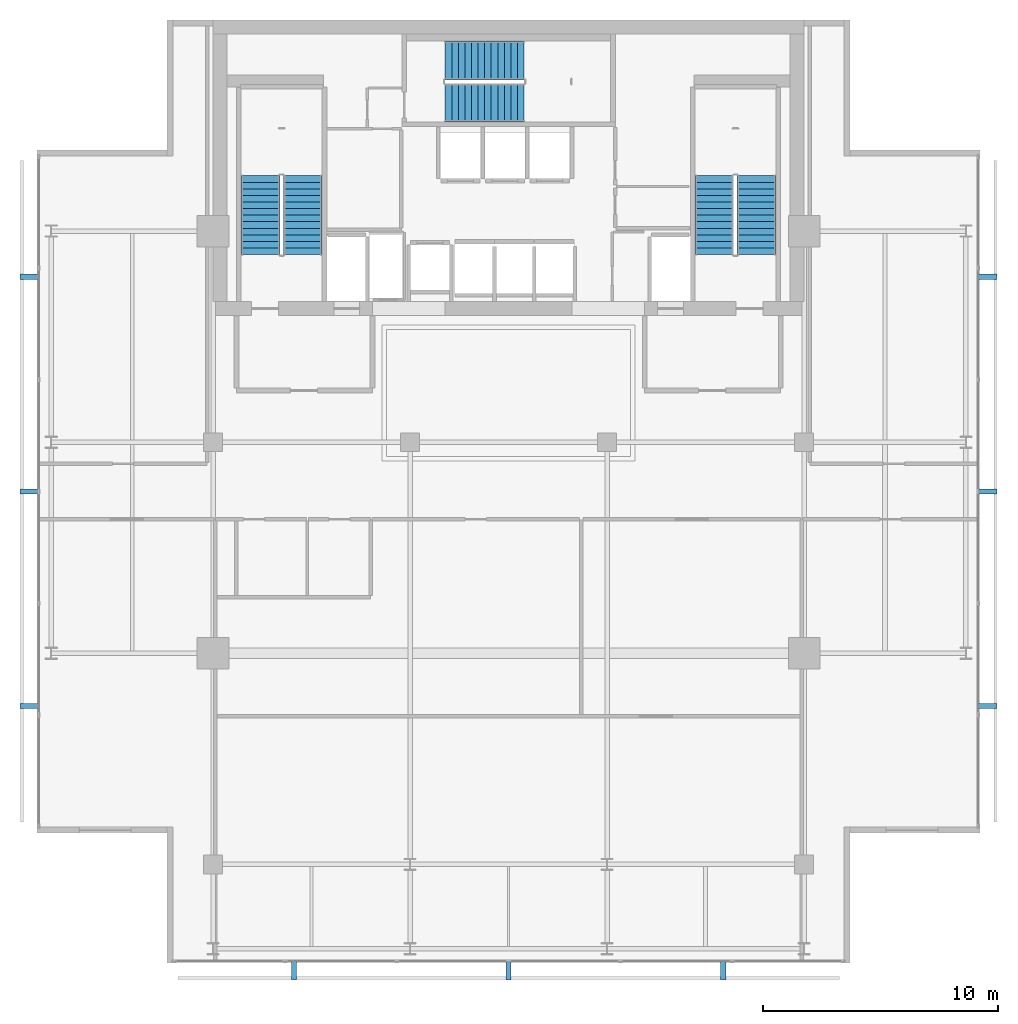
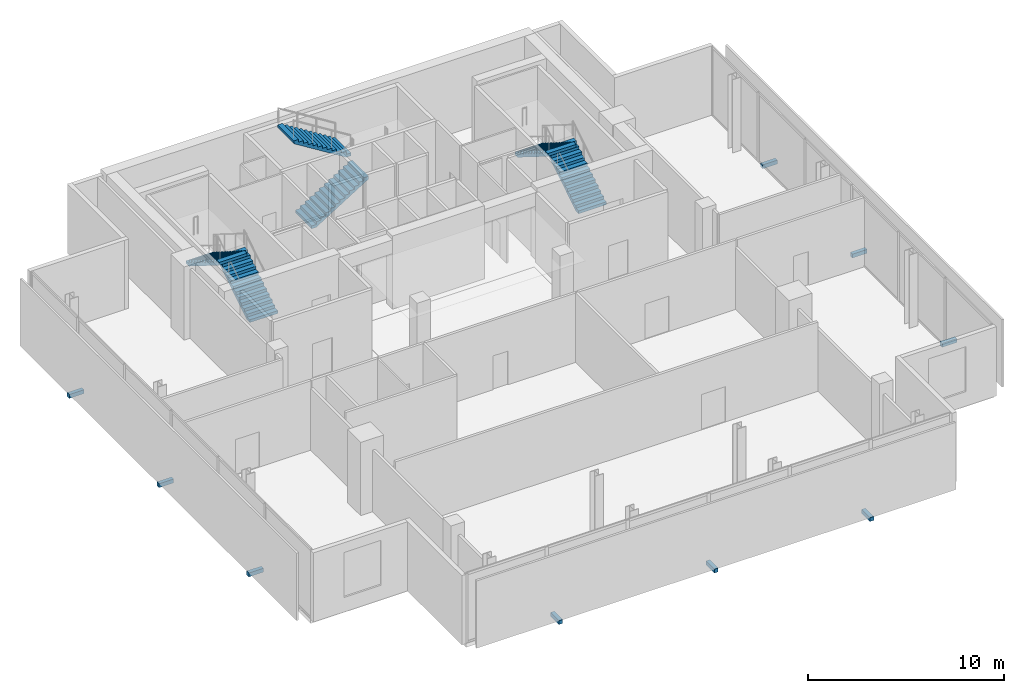
# One storey, part 19 of 23: 9 discrete accessories, 6 stair flights, 3 elements without a shape of their own.
"""IFC4 building model written with IfcOpenShell, lengths in metres."""

from ifc_helpers import new_model, si_unit, direction, frame, origin, origin_2d, place, context, subcontext, project, spatial, polyline, rectangle, outline, extrude, material, type_object, element, aggregate, save


model = new_model("IFC4")

# Units and contexts
model_context = context("Model", 3, precision=1e-05, world=origin(), true_north=direction((0.0, 1.0)))
body_context = subcontext(model_context, "Body", "Model", "MODEL_VIEW")
ifc_project = project(units=[si_unit("LENGTHUNIT", "METRE"), si_unit("AREAUNIT", "SQUARE_METRE"), si_unit("VOLUMEUNIT", "CUBIC_METRE"), si_unit("PLANEANGLEUNIT", "RADIAN"), si_unit("MASSUNIT", "GRAM", prefix="KILO")], contexts=[model_context])

# Site, building, storey
site_placement = place(None, origin())
site = spatial("IfcSite", under=ifc_project, at=site_placement, CompositionType="ELEMENT")
building_placement = place(site_placement, origin())
building = spatial("IfcBuilding", under=site, at=building_placement, Name="Maruvema Waterfront Hotel and Observation Tower", CompositionType="ELEMENT")
storey_placement = place(building_placement, frame((0.0, 0.0, 345.10009765625)))
storey = spatial("IfcBuildingStorey", under=building, at=storey_placement, Name="L85", CompositionType="ELEMENT", Elevation=345.10009765625)

# Stair, stair flights
ifc_material_1 = material(Name="Concrete C50/60", Category="concrete")
stair_type = type_object("IfcStairType", Name="Dogleg Exit Stair 1650 mm (26R x 175.0 mm)", PredefinedType="HALF_TURN_STAIR", material=ifc_material_1)
stair_1_placement = place(storey_placement, origin())
stair_1 = element("IfcStair", 1, at=stair_1_placement, inside=storey, type_object=stair_type, Name="L85 ST-01", PredefinedType="HALF_TURN_STAIR")
ifc_material_2 = material(Name="Concrete C50/60", Category="concrete")
stair_flight_type = type_object("IfcStairFlightType", Name="Reinforced Concrete Stair Flight 1650 mm (13R x 175.0 mm)", PredefinedType="STRAIGHT", material=ifc_material_2)
stair_flight_1_placement = place(storey_placement, frame((29.02490234375, 44.0, 0.0), z_axis=(0.0, 0.0, 1.0), x_axis=(0.0, 1.0, 0.0)))
stair_flight_1 = element("IfcStairFlight", 2, at=stair_flight_1_placement, type_object=stair_flight_type, Name="ST-01 flight 1", NumberOfRisers=13, NumberOfTreads=12, PredefinedType="STRAIGHT", RiserHeight=0.175, TreadLength=0.28, context=body_context, shape_type="SweptSolid", body=[
    extrude(outline(polyline([(0.0, 0.0), (0.0, 0.175048828125), (0.280029296875, 0.175048828125), (0.280029296875, 0.35009765625), (0.56005859375, 0.35009765625), (0.56005859375, 0.52490234375), (0.840087890625, 0.52490234375), (0.840087890625, 0.699951171875), (1.1201171875, 0.699951171875), (1.1201171875, 0.875), (1.39990234375, 0.875), (1.39990234375, 1.050048828125), (1.679931640625, 1.050048828125), (1.679931640625, 1.22509765625), (1.9599609375, 1.22509765625), (1.9599609375, 1.39990234375), (2.239990234375, 1.39990234375), (2.239990234375, 1.574951171875), (2.52001953125, 1.574951171875), (2.52001953125, 1.75), (2.800048828125, 1.75), (2.800048828125, 1.925048828125), (3.080078125, 1.925048828125), (3.080078125, 2.10009765625), (3.360107421875, 2.10009765625), (3.360107421875, 2.27490234375), (3.360107421875, 1.92333984375), (0.28271484375, 0.0), (0.0, 0.0)])), frame((0.0, 0.824951171875, 0.0), z_axis=(0.0, -1.0, 0.0), x_axis=(1.0, 0.0, 0.0)), (0.0, 0.0, 1.0), 1.64990234375),
])
stair_flight_2_placement = place(storey_placement, frame((27.22509765625, 47.360107421875, 2.27490234375), z_axis=(0.0, 0.0, 1.0), x_axis=(0.0, -1.0, 0.0)))
stair_flight_2 = element("IfcStairFlight", 3, at=stair_flight_2_placement, type_object=stair_flight_type, Name="ST-01 flight 2", NumberOfRisers=13, NumberOfTreads=12, PredefinedType="STRAIGHT", RiserHeight=0.175, TreadLength=0.28, context=body_context, shape_type="SweptSolid", body=[
    extrude(outline(polyline([(0.0, 0.0), (0.0, 0.175048828125), (0.280029296875, 0.175048828125), (0.280029296875, 0.35009765625), (0.56005859375, 0.35009765625), (0.56005859375, 0.52490234375), (0.840087890625, 0.52490234375), (0.840087890625, 0.699951171875), (1.1201171875, 0.699951171875), (1.1201171875, 0.875), (1.39990234375, 0.875), (1.39990234375, 1.050048828125), (1.679931640625, 1.050048828125), (1.679931640625, 1.22509765625), (1.9599609375, 1.22509765625), (1.9599609375, 1.39990234375), (2.239990234375, 1.39990234375), (2.239990234375, 1.574951171875), (2.52001953125, 1.574951171875), (2.52001953125, 1.75), (2.800048828125, 1.75), (2.800048828125, 1.925048828125), (3.080078125, 1.925048828125), (3.080078125, 2.10009765625), (3.360107421875, 2.10009765625), (3.360107421875, 2.27490234375), (3.360107421875, 1.92333984375), (0.28271484375, 0.0), (0.0, 0.0)])), frame((0.0, 0.824951171875, 0.0), z_axis=(0.0, -1.0, 0.0), x_axis=(1.0, 0.0, 0.0)), (0.0, 0.0, 1.0), 1.64990234375),
])
aggregate(stair_1, [stair_flight_1, stair_flight_2])

stair_2_placement = place(storey_placement, origin())
stair_2 = element("IfcStair", 4, at=stair_2_placement, inside=storey, type_object=stair_type, Name="L85 ST-02", PredefinedType="HALF_TURN_STAIR")
stair_flight_3_placement = place(storey_placement, frame((35.10009765625, 50.47509765625, 0.0), z_axis=(0.0, 0.0, 1.0), x_axis=(1.0, 0.0, 0.0)))
stair_flight_3 = element("IfcStairFlight", 5, at=stair_flight_3_placement, type_object=stair_flight_type, Name="ST-02 flight 1", NumberOfRisers=13, NumberOfTreads=12, PredefinedType="STRAIGHT", RiserHeight=0.175, TreadLength=0.28, context=body_context, shape_type="SweptSolid", body=[
    extrude(outline(polyline([(0.0, 0.0), (0.0, 0.175048828125), (0.280029296875, 0.175048828125), (0.280029296875, 0.35009765625), (0.56005859375, 0.35009765625), (0.56005859375, 0.52490234375), (0.840087890625, 0.52490234375), (0.840087890625, 0.699951171875), (1.1201171875, 0.699951171875), (1.1201171875, 0.875), (1.39990234375, 0.875), (1.39990234375, 1.050048828125), (1.679931640625, 1.050048828125), (1.679931640625, 1.22509765625), (1.9599609375, 1.22509765625), (1.9599609375, 1.39990234375), (2.239990234375, 1.39990234375), (2.239990234375, 1.574951171875), (2.52001953125, 1.574951171875), (2.52001953125, 1.75), (2.800048828125, 1.75), (2.800048828125, 1.925048828125), (3.080078125, 1.925048828125), (3.080078125, 2.10009765625), (3.360107421875, 2.10009765625), (3.360107421875, 2.27490234375), (3.360107421875, 1.92333984375), (0.28271484375, 0.0), (0.0, 0.0)])), frame((0.0, 0.824951171875, 0.0), z_axis=(0.0, -1.0, 0.0), x_axis=(1.0, 0.0, 0.0)), (0.0, 0.0, 1.0), 1.64990234375),
])
stair_flight_4_placement = place(storey_placement, frame((38.4599609375, 52.27490234375, 2.27490234375), z_axis=(0.0, 0.0, 1.0), x_axis=(-1.0, 0.0, 0.0)))
stair_flight_4 = element("IfcStairFlight", 6, at=stair_flight_4_placement, type_object=stair_flight_type, Name="ST-02 flight 2", NumberOfRisers=13, NumberOfTreads=12, PredefinedType="STRAIGHT", RiserHeight=0.175, TreadLength=0.28, context=body_context, shape_type="SweptSolid", body=[
    extrude(outline(polyline([(0.0, 0.0), (0.0, 0.175048828125), (0.280029296875, 0.175048828125), (0.280029296875, 0.35009765625), (0.56005859375, 0.35009765625), (0.56005859375, 0.52490234375), (0.840087890625, 0.52490234375), (0.840087890625, 0.699951171875), (1.1201171875, 0.699951171875), (1.1201171875, 0.875), (1.39990234375, 0.875), (1.39990234375, 1.050048828125), (1.679931640625, 1.050048828125), (1.679931640625, 1.22509765625), (1.9599609375, 1.22509765625), (1.9599609375, 1.39990234375), (2.239990234375, 1.39990234375), (2.239990234375, 1.574951171875), (2.52001953125, 1.574951171875), (2.52001953125, 1.75), (2.800048828125, 1.75), (2.800048828125, 1.925048828125), (3.080078125, 1.925048828125), (3.080078125, 2.10009765625), (3.360107421875, 2.10009765625), (3.360107421875, 2.27490234375), (3.360107421875, 1.92333984375), (0.28271484375, 0.0), (0.0, 0.0)])), frame((0.0, 0.824951171875, 0.0), z_axis=(0.0, -1.0, 0.0), x_axis=(1.0, 0.0, 0.0)), (0.0, 0.0, 1.0), 1.64990234375),
])
aggregate(stair_2, [stair_flight_3, stair_flight_4])

stair_3_placement = place(storey_placement, origin())
stair_3 = element("IfcStair", 7, at=stair_3_placement, inside=storey, type_object=stair_type, Name="L85 ST-03", PredefinedType="HALF_TURN_STAIR")
stair_flight_5_placement = place(storey_placement, frame((48.375, 44.0, 0.0), z_axis=(0.0, 0.0, 1.0), x_axis=(0.0, 1.0, 0.0)))
stair_flight_5 = element("IfcStairFlight", 8, at=stair_flight_5_placement, type_object=stair_flight_type, Name="ST-03 flight 1", NumberOfRisers=13, NumberOfTreads=12, PredefinedType="STRAIGHT", RiserHeight=0.175, TreadLength=0.28, context=body_context, shape_type="SweptSolid", body=[
    extrude(outline(polyline([(0.0, 0.0), (0.0, 0.175048828125), (0.280029296875, 0.175048828125), (0.280029296875, 0.35009765625), (0.56005859375, 0.35009765625), (0.56005859375, 0.52490234375), (0.840087890625, 0.52490234375), (0.840087890625, 0.699951171875), (1.1201171875, 0.699951171875), (1.1201171875, 0.875), (1.39990234375, 0.875), (1.39990234375, 1.050048828125), (1.679931640625, 1.050048828125), (1.679931640625, 1.22509765625), (1.9599609375, 1.22509765625), (1.9599609375, 1.39990234375), (2.239990234375, 1.39990234375), (2.239990234375, 1.574951171875), (2.52001953125, 1.574951171875), (2.52001953125, 1.75), (2.800048828125, 1.75), (2.800048828125, 1.925048828125), (3.080078125, 1.925048828125), (3.080078125, 2.10009765625), (3.360107421875, 2.10009765625), (3.360107421875, 2.27490234375), (3.360107421875, 1.92333984375), (0.28271484375, 0.0), (0.0, 0.0)])), frame((0.0, 0.824951171875, 0.0), z_axis=(0.0, -1.0, 0.0), x_axis=(1.0, 0.0, 0.0)), (0.0, 0.0, 1.0), 1.64990234375),
])
stair_flight_6_placement = place(storey_placement, frame((46.574951171875, 47.360107421875, 2.27490234375), z_axis=(0.0, 0.0, 1.0), x_axis=(0.0, -1.0, 0.0)))
stair_flight_6 = element("IfcStairFlight", 9, at=stair_flight_6_placement, type_object=stair_flight_type, Name="ST-03 flight 2", NumberOfRisers=13, NumberOfTreads=12, PredefinedType="STRAIGHT", RiserHeight=0.175, TreadLength=0.28, context=body_context, shape_type="SweptSolid", body=[
    extrude(outline(polyline([(0.0, 0.0), (0.0, 0.175048828125), (0.280029296875, 0.175048828125), (0.280029296875, 0.35009765625), (0.56005859375, 0.35009765625), (0.56005859375, 0.52490234375), (0.840087890625, 0.52490234375), (0.840087890625, 0.699951171875), (1.1201171875, 0.699951171875), (1.1201171875, 0.875), (1.39990234375, 0.875), (1.39990234375, 1.050048828125), (1.679931640625, 1.050048828125), (1.679931640625, 1.22509765625), (1.9599609375, 1.22509765625), (1.9599609375, 1.39990234375), (2.239990234375, 1.39990234375), (2.239990234375, 1.574951171875), (2.52001953125, 1.574951171875), (2.52001953125, 1.75), (2.800048828125, 1.75), (2.800048828125, 1.925048828125), (3.080078125, 1.925048828125), (3.080078125, 2.10009765625), (3.360107421875, 2.10009765625), (3.360107421875, 2.27490234375), (3.360107421875, 1.92333984375), (0.28271484375, 0.0), (0.0, 0.0)])), frame((0.0, 0.824951171875, 0.0), z_axis=(0.0, -1.0, 0.0), x_axis=(1.0, 0.0, 0.0)), (0.0, 0.0, 1.0), 1.64990234375),
])
aggregate(stair_3, [stair_flight_5, stair_flight_6])

# Discrete accessories
ifc_material_3 = material(Name="Duplex stainless steel Grade 2205", Category="steel")
discrete_accessory_type = type_object("IfcDiscreteAccessoryType", Name="Double-Skin Cavity Stainless Outrigger Bracket", PredefinedType="BRACKET", material=ifc_material_3)
for number, where, z_axis, x_axis, name in (
    (10, (28.64794921875, 13.5, -0.14013671875), (0.0, 0.0, 1.0), (1.0, 0.0, 0.0), "L85 Outer Skin Support Bracket 1"),
    (11, (37.800048828125, 13.5, -0.14013671875), (0.0, 0.0, 1.0), (1.0, 0.0, 0.0), "L85 Outer Skin Support Bracket 2"),
    (12, (46.951904296875, 13.5, -0.14013671875), (0.0, 0.0, 1.0), (1.0, 0.0, 0.0), "L85 Outer Skin Support Bracket 3"),
    (13, (58.199951171875, 24.748046875, -0.14013671875), (0.0, 0.0, 1.0), (0.0, 1.0, 0.0), "L85 Outer Skin Support Bracket 1"),
    (14, (58.199951171875, 33.89990234375, -0.14013671875), (0.0, 0.0, 1.0), (0.0, 1.0, 0.0), "L85 Outer Skin Support Bracket 2"),
    (15, (58.199951171875, 43.052001953125, -0.14013671875), (0.0, 0.0, 1.0), (0.0, 1.0, 0.0), "L85 Outer Skin Support Bracket 3"),
    (16, (17.39990234375, 43.052001953125, -0.14013671875), (0.0, 0.0, 1.0), (0.0, -1.0, 0.0), "L85 Outer Skin Support Bracket 1"),
    (17, (17.39990234375, 33.89990234375, -0.14013671875), (0.0, 0.0, 1.0), (0.0, -1.0, 0.0), "L85 Outer Skin Support Bracket 2"),
    (18, (17.39990234375, 24.748046875, -0.14013671875), (0.0, 0.0, 1.0), (0.0, -1.0, 0.0), "L85 Outer Skin Support Bracket 3"),
):
    element("IfcDiscreteAccessory", number, at=place(storey_placement, frame(where, z_axis=z_axis, x_axis=x_axis)), inside=storey, type_object=discrete_accessory_type, Name=name, PredefinedType="BRACKET", context=body_context, shape_type="SweptSolid", body=[
        extrude(rectangle(XDim=0.219970703125, YDim=0.860107421875, at=origin_2d()), origin(), (0.0, 0.0, 1.0), 0.239990234375),
    ])

save(model, "model.ifc")
